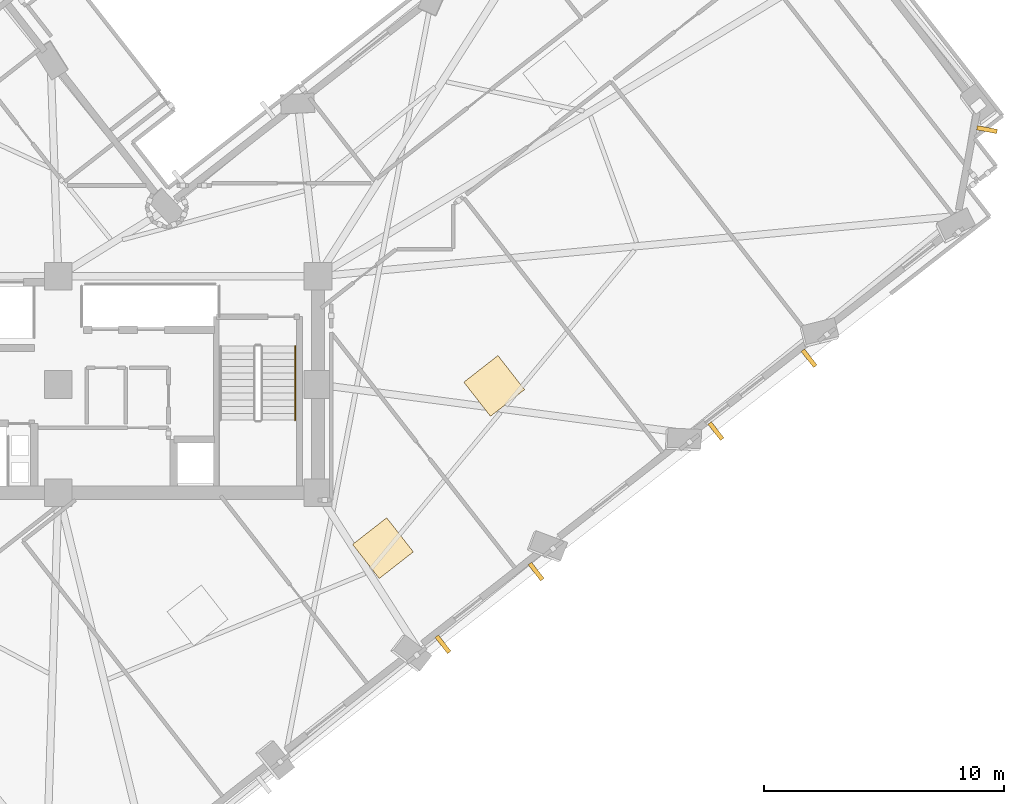
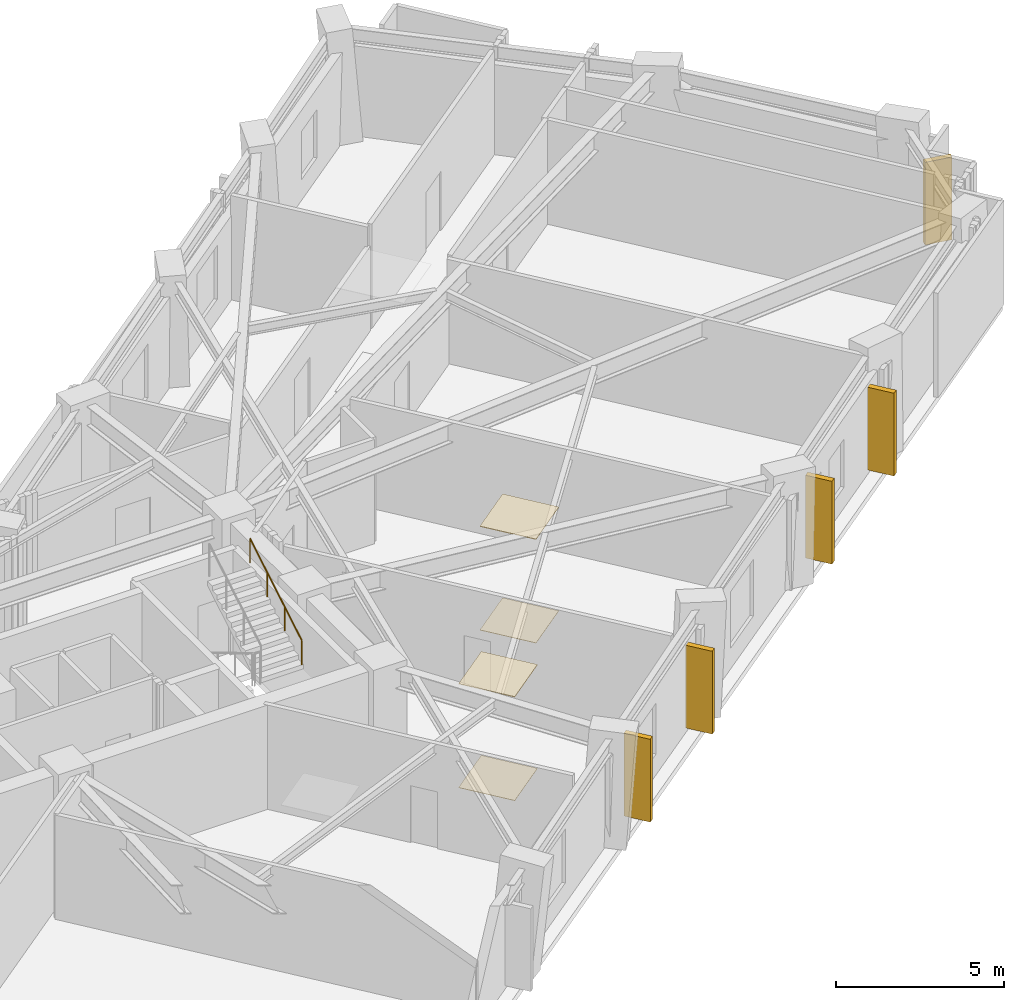
# One storey, part 12 of 14: 5 shading devices, 4 coverings, 1 railing.
"""IFC4 building model written with IfcOpenShell, lengths in metres."""

from ifc_helpers import new_model, si_unit, direction, frame, origin, origin_2d, place, context, subcontext, project, spatial, rectangle, circle, extrude, material, layer, layer_set, type_object, element, save


model = new_model("IFC4")

# Units and contexts
model_context = context("Model", 3, precision=1e-05, world=origin(), true_north=direction((0.0, 1.0)))
body_context = subcontext(model_context, "Body", "Model", "MODEL_VIEW")
ifc_project = project(units=[si_unit("LENGTHUNIT", "METRE"), si_unit("AREAUNIT", "SQUARE_METRE"), si_unit("VOLUMEUNIT", "CUBIC_METRE"), si_unit("PLANEANGLEUNIT", "RADIAN"), si_unit("MASSUNIT", "GRAM", prefix="KILO")], contexts=[model_context])

# Site, building, storey
site_placement = place(None, origin())
site = spatial("IfcSite", under=ifc_project, at=site_placement, CompositionType="ELEMENT")
building_placement = place(site_placement, origin())
building = spatial("IfcBuilding", under=site, at=building_placement, Name="Gaonmaruhae Medical Tower", CompositionType="ELEMENT")
storey_placement = place(building_placement, frame((0.0, 0.0, 185.800048828125)))
storey = spatial("IfcBuildingStorey", under=building, at=storey_placement, Name="L44", CompositionType="ELEMENT", Elevation=185.800048828125)

# Coverings
ifc_material_1 = material(Name="Acoustic mineral ceiling tile", Category="finish")
ifc_layer_1 = layer(ifc_material_1, 0.02490234375)
ifc_layer_set_1 = layer_set([ifc_layer_1], Name="Acoustic mineral ceiling tile")
covering_type_1 = type_object("IfcCoveringType", Name="CLG-01 Antimicrobial Acoustic Mineral Ceiling", PredefinedType="CEILING", material=ifc_layer_set_1)
for number, where, z_axis, x_axis, name in (
    (1, (38.3017578125, 5.495361328125, 3.7548828125), (0.0, 0.0, 1.0), (0.788010753607, 0.615661475326, 0.0), "L44 Clinical Room Acoustic Ceiling 3"),
    (2, (42.928466796875, 12.242919921875, 3.7548828125), (0.0, 0.0, 1.0), (0.788010753607, 0.615661475326, 0.0), "L44 Clinical Room Acoustic Ceiling 4"),
):
    element("IfcCovering", number, at=place(storey_placement, frame(where, z_axis=z_axis, x_axis=x_axis)), inside=storey, type_object=covering_type_1, Name=name, PredefinedType="CEILING", context=body_context, shape_type="SweptSolid", body=[
        extrude(rectangle(XDim=1.800048828125, YDim=1.800048828125, at=origin_2d()), origin(), (0.0, 0.0, 1.0), 0.02490234375),
    ])
ifc_material_2 = material(Name="Seamless clinical vinyl flooring", Category="finish")
ifc_layer_2 = layer(ifc_material_2, 0.014892578125)
ifc_layer_set_2 = layer_set([ifc_layer_2], Name="Seamless clinical vinyl flooring")
covering_type_2 = type_object("IfcCoveringType", Name="FLR-01 Seamless Clinical Antistatic Vinyl Flooring", PredefinedType="FLOORING", material=ifc_layer_set_2)
for number, where, z_axis, x_axis, name in (
    (3, (38.3017578125, 5.495361328125, 0.0), (0.0, 0.0, 1.0), (0.788010753607, 0.615661475326, 0.0), "L44 Clinical Room Vinyl Flooring 3"),
    (4, (42.928466796875, 12.242919921875, 0.0), (0.0, 0.0, 1.0), (0.788010753607, 0.615661475326, 0.0), "L44 Clinical Room Vinyl Flooring 4"),
):
    element("IfcCovering", number, at=place(storey_placement, frame(where, z_axis=z_axis, x_axis=x_axis)), inside=storey, type_object=covering_type_2, Name=name, PredefinedType="FLOORING", context=body_context, shape_type="SweptSolid", body=[
        extrude(rectangle(XDim=1.800048828125, YDim=1.800048828125, at=origin_2d()), origin(), (0.0, 0.0, 1.0), 0.014892578125),
    ])

# Railing
ifc_material_3 = material(Name="Stainless steel 304 handrail", Category="steel")
railing_type = type_object("IfcRailingType", Name="HR-092 Continuous Stainless Steel Stair Handrail", PredefinedType="HANDRAIL", material=ifc_material_3)
railing_placement = place(storey_placement, frame((34.64990234375, 10.820068359375, 2.16650390625)))
element("IfcRailing", 5, at=railing_placement, inside=storey, type_object=railing_type, Name="L44 ST-02 stair handrail 2", PredefinedType="HANDRAIL", context=body_context, shape_type="SweptSolid", body=[
    extrude(circle(Radius=0.02392578125, at=origin_2d()), frame((0.0, 0.0, 0.8759765625), z_axis=(0.0, 0.859260807169, 0.511537745687), x_axis=(-1.0, 0.0, 0.0)), (0.0, 0.0, 1.0), 3.584228515625),
    extrude(circle(Radius=0.02099609375, at=origin_2d()), origin(), (0.0, 0.0, 1.0), 0.851806640625),
    extrude(circle(Radius=0.02099609375, at=origin_2d()), frame((0.0, 1.026611328125, 0.611083984375)), (0.0, 0.0, 1.0), 0.851806640625),
    extrude(circle(Radius=0.02099609375, at=origin_2d()), frame((0.0, 2.05322265625, 1.222412109375)), (0.0, 0.0, 1.0), 0.851806640625),
    extrude(circle(Radius=0.02099609375, at=origin_2d()), frame((0.0, 3.079833984375, 1.83349609375)), (0.0, 0.0, 1.0), 0.851806640625),
])

# Shading devices
ifc_material_4 = material(Name="Pigmented coral precast concrete C45/55", Category="concrete")
shading_device_type = type_object("IfcShadingDeviceType", Name="SD-FIN1 Tower Vertical Coral Precast Shading Fin", PredefinedType="USERDEFINED", material=ifc_material_4)
for number, where, z_axis, x_axis, name in (
    (6, (44.670166015625, 4.521728515625, 0.132568359375), (0.0, 0.0, 1.0), (-0.788010753607, -0.615661475326, 0.0), "L44 Vertical Coral Precast Shading Fin S03"),
    (7, (40.797607421875, 1.49609375, 0.132568359375), (0.0, 0.0, 1.0), (-0.788010753607, -0.615661475326, 0.0), "L44 Vertical Coral Precast Shading Fin S03B"),
    (8, (56.02392578125, 13.392333984375, 0.132568359375), (0.0, 0.0, 1.0), (-0.788010753607, -0.615661475326, 0.0), "L44 Vertical Coral Precast Shading Fin S05"),
    (9, (52.1484375, 10.364501953125, 0.132568359375), (0.0, 0.0, 1.0), (-0.788010753607, -0.615661475326, 0.0), "L44 Vertical Coral Precast Shading Fin S05B"),
    (10, (63.424072265625, 22.902587890625, 0.132568359375), (0.0, 0.0, 1.0), (-0.183110665995, -0.983092306957, 0.0), "L44 Vertical Coral Precast Shading Fin S07"),
):
    element("IfcShadingDevice", number, at=place(storey_placement, frame(where, z_axis=z_axis, x_axis=x_axis)), inside=storey, type_object=shading_device_type, Name=name, ObjectType="FIN", PredefinedType="USERDEFINED", context=body_context, shape_type="SweptSolid", body=[
        extrude(rectangle(XDim=0.179931640625, YDim=0.85009765625, at=origin_2d()), origin(), (0.0, 0.0, 1.0), 3.0),
    ])

save(model, "model.ifc")
